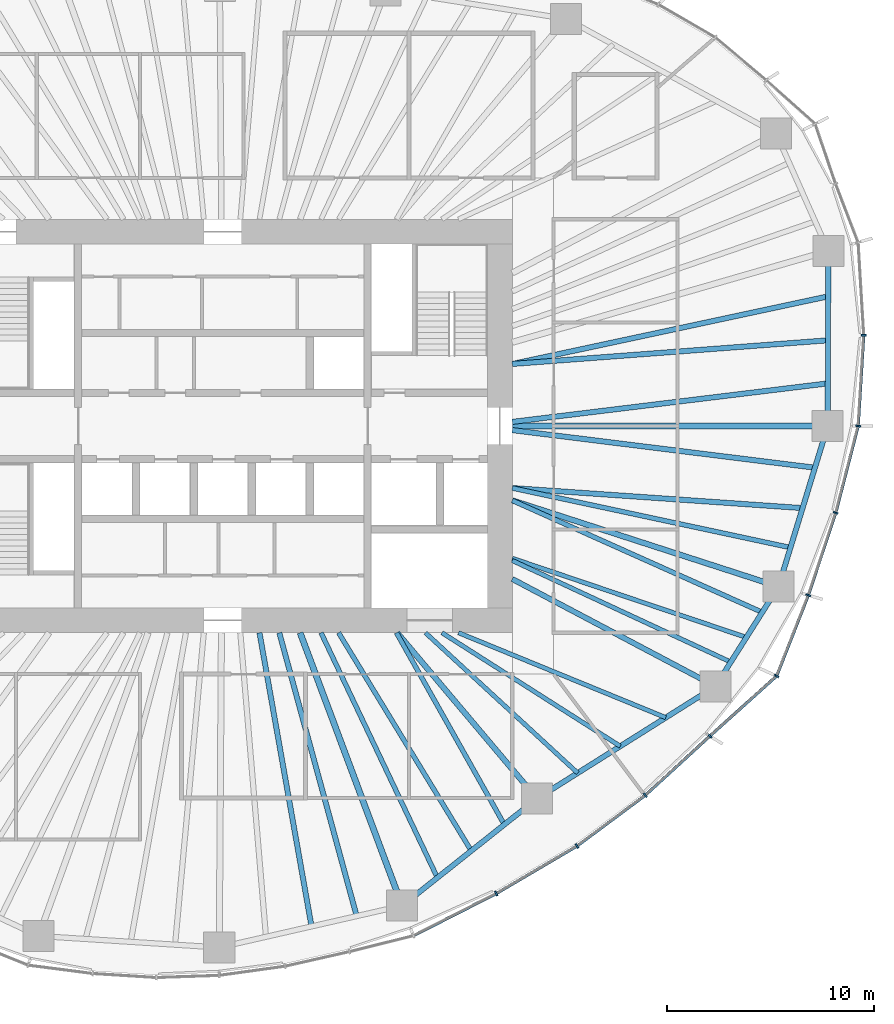
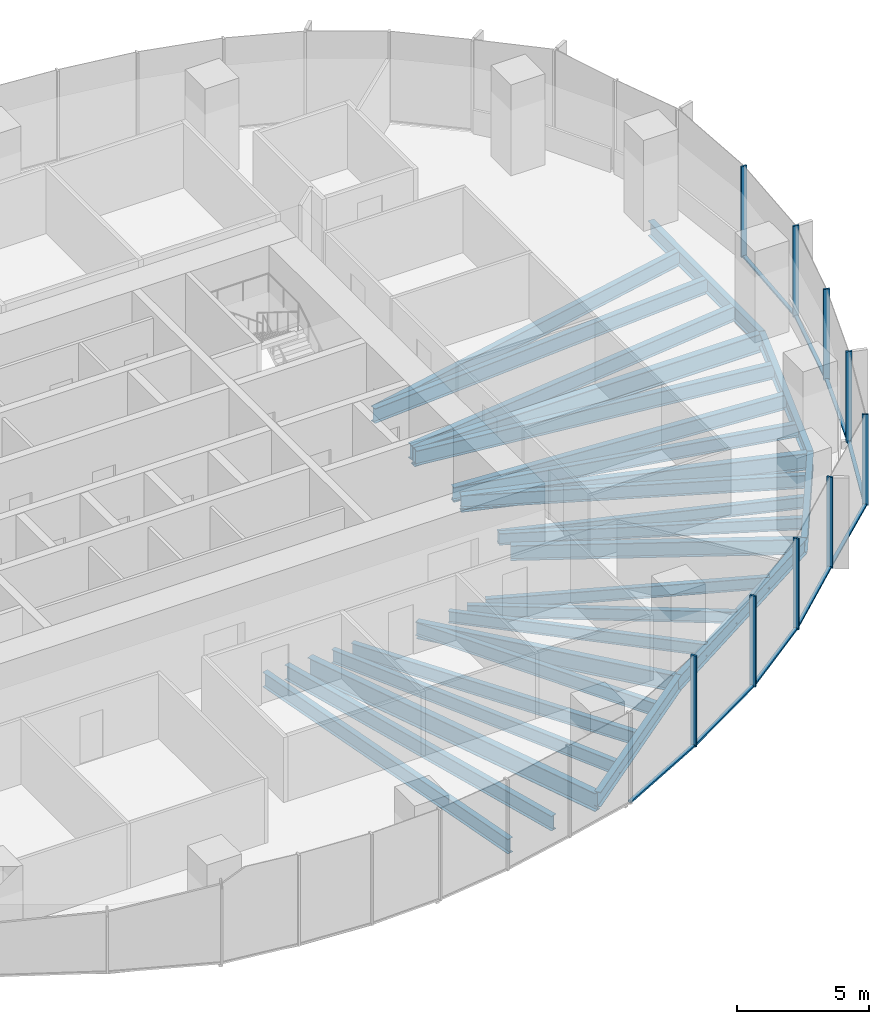
# One storey, part 4 of 18: 27 beams, 18 members, 5 elements without a shape of their own.
"""IFC4 building model written with IfcOpenShell, lengths in metres."""

from ifc_helpers import new_model, si_unit, direction, frame, origin, origin_2d, place, context, subcontext, project, spatial, rectangle, i_section, extrude, material, material_profile, profile_set, type_object, element, aggregate, save


model = new_model("IFC4")

# Units and contexts
model_context = context("Model", 3, precision=1e-05, world=origin(), true_north=direction((0.0, 1.0)))
body_context = subcontext(model_context, "Body", "Model", "MODEL_VIEW")
ifc_project = project(units=[si_unit("LENGTHUNIT", "METRE"), si_unit("AREAUNIT", "SQUARE_METRE"), si_unit("VOLUMEUNIT", "CUBIC_METRE"), si_unit("PLANEANGLEUNIT", "RADIAN"), si_unit("MASSUNIT", "GRAM", prefix="KILO")], contexts=[model_context])

# Site, building, storey
site_placement = place(None, origin())
site = spatial("IfcSite", under=ifc_project, at=site_placement, CompositionType="ELEMENT")
building_placement = place(site_placement, origin())
building = spatial("IfcBuilding", under=site, at=building_placement, Name="Ghaith Harvest Tower", CompositionType="ELEMENT")
storey_placement = place(building_placement, frame((0.0, 0.0, 126.0)))
storey = spatial("IfcBuildingStorey", under=building, at=storey_placement, Name="L26", CompositionType="ELEMENT", Elevation=126.0)

# Curtain wall, members
ifc_material_1 = material(Name="Black anodised aluminium and fritted glass", Category="aluminium")
curtain_wall_type = type_object("IfcCurtainWallType", Name="CW-L CURTAIN WALL", PredefinedType="NOTDEFINED", material=ifc_material_1)
curtain_wall_1_placement = place(storey_placement, origin())
curtain_wall_1 = element("IfcCurtainWall", 1, at=curtain_wall_1_placement, inside=storey, type_object=curtain_wall_type, Name="Curtain wall CW-L bay 01 L26", PredefinedType="NOTDEFINED")
ifc_material_2 = material(Name="Aluminium, black anodised", Category="aluminium")
ifc_material_profile_1 = material_profile(ifc_material_2, rectangle(XDim=0.080078125, YDim=0.239990234375, at=origin_2d()), Name="CW-L MULLION 80x240")
ifc_profile_set_1 = profile_set([ifc_material_profile_1], Name="Aluminium, black anodised")
member_type_1 = type_object("IfcMemberType", Name="CW-L MULLION 80x240", PredefinedType="MULLION", material=ifc_profile_set_1)
member_1_placement = place(storey_placement, frame((30.728759765625, 0.0, 0.0), z_axis=(0.0, 0.0, 1.0), x_axis=(0.155597142981, 0.987820595602, 0.0)))
member_1 = element("IfcMember", 2, at=member_1_placement, type_object=member_type_1, Name="CW-L mullion 1 bay 01 L26", PredefinedType="MULLION", context=body_context, shape_type="SweptSolid", body=[
    extrude(rectangle(XDim=0.080078125, YDim=0.239990234375, at=origin_2d()), origin(), (0.0, 0.0, 1.0), 4.199951171875),
])
member_2_placement = place(storey_placement, frame((30.998779296875, 4.389892578125, 0.0), z_axis=(0.0, 0.0, 1.0), x_axis=(-0.000162467394, 0.999999986802, 0.0)))
member_2 = element("IfcMember", 3, at=member_2_placement, type_object=member_type_1, Name="CW-L mullion 2 bay 01 L26", PredefinedType="MULLION", context=body_context, shape_type="SweptSolid", body=[
    extrude(rectangle(XDim=0.080078125, YDim=0.239990234375, at=origin_2d()), origin(), (0.0, 0.0, 1.0), 4.199951171875),
])

# Curtain wall, member
curtain_wall_2_placement = place(storey_placement, origin())
curtain_wall_2 = element("IfcCurtainWall", 4, at=curtain_wall_2_placement, inside=storey, type_object=curtain_wall_type, Name="Curtain wall CW-L bay 17 L26", PredefinedType="NOTDEFINED")
member_3_placement = place(storey_placement, frame((13.224365234375, -22.614013671875, 0.0), z_axis=(0.0, 0.0, 1.0), x_axis=(0.876898762173, 0.480675109507, 0.0)))
member_3 = element("IfcMember", 5, at=member_3_placement, type_object=member_type_1, Name="CW-L mullion 2 bay 17 L26", PredefinedType="MULLION", context=body_context, shape_type="SweptSolid", body=[
    extrude(rectangle(XDim=0.080078125, YDim=0.239990234375, at=origin_2d()), origin(), (0.0, 0.0, 1.0), 4.199951171875),
])

# Curtain wall, members
curtain_wall_3_placement = place(storey_placement, origin())
curtain_wall_3 = element("IfcCurtainWall", 6, at=curtain_wall_3_placement, inside=storey, type_object=curtain_wall_type, Name="Curtain wall CW-L bay 18 L26", PredefinedType="NOTDEFINED")
member_4_placement = place(storey_placement, frame((17.1318359375, -20.31591796875, 0.0), z_axis=(0.0, 0.0, 1.0), x_axis=(0.834887453241, 0.550420694035, 0.0)))
member_4 = element("IfcMember", 7, at=member_4_placement, type_object=member_type_1, Name="CW-L mullion 1 bay 18 L26", PredefinedType="MULLION", context=body_context, shape_type="SweptSolid", body=[
    extrude(rectangle(XDim=0.080078125, YDim=0.239990234375, at=origin_2d()), origin(), (0.0, 0.0, 1.0), 4.199951171875),
])
member_5_placement = place(storey_placement, frame((20.4296875, -17.86376953125, 0.0), z_axis=(0.0, 0.0, 1.0), x_axis=(0.770306399656, 0.637673937564, 0.0)))
member_5 = element("IfcMember", 8, at=member_5_placement, type_object=member_type_1, Name="CW-L mullion 2 bay 18 L26", PredefinedType="MULLION", context=body_context, shape_type="SweptSolid", body=[
    extrude(rectangle(XDim=0.080078125, YDim=0.239990234375, at=origin_2d()), origin(), (0.0, 0.0, 1.0), 4.199951171875),
])

curtain_wall_4_placement = place(storey_placement, origin())
curtain_wall_4 = element("IfcCurtainWall", 9, at=curtain_wall_4_placement, inside=storey, type_object=curtain_wall_type, Name="Curtain wall CW-L bay 19 L26", PredefinedType="NOTDEFINED")
member_6_placement = place(storey_placement, frame((23.560546875, -14.994140625, 0.0), z_axis=(0.0, 0.0, 1.0), x_axis=(0.740389054945, 0.672178582906, 0.0)))
member_6 = element("IfcMember", 10, at=member_6_placement, type_object=member_type_1, Name="CW-L mullion 1 bay 19 L26", PredefinedType="MULLION", context=body_context, shape_type="SweptSolid", body=[
    extrude(rectangle(XDim=0.080078125, YDim=0.239990234375, at=origin_2d()), origin(), (0.0, 0.0, 1.0), 4.199951171875),
])
member_7_placement = place(storey_placement, frame((26.786376953125, -12.0927734375, 0.0), z_axis=(0.0, 0.0, 1.0), x_axis=(0.572853476908, 0.819657790785, 0.0)))
member_7 = element("IfcMember", 11, at=member_7_placement, type_object=member_type_1, Name="CW-L mullion 2 bay 19 L26", PredefinedType="MULLION", context=body_context, shape_type="SweptSolid", body=[
    extrude(rectangle(XDim=0.080078125, YDim=0.239990234375, at=origin_2d()), origin(), (0.0, 0.0, 1.0), 4.199951171875),
])

curtain_wall_5_placement = place(storey_placement, origin())
curtain_wall_5 = element("IfcCurtainWall", 12, at=curtain_wall_5_placement, inside=storey, type_object=curtain_wall_type, Name="Curtain wall CW-L bay 20 L26", PredefinedType="NOTDEFINED")
member_8_placement = place(storey_placement, frame((28.319580078125, -8.184814453125, 0.0), z_axis=(0.0, 0.0, 1.0), x_axis=(0.34057402484, 0.94021770543, 0.0)))
member_8 = element("IfcMember", 13, at=member_8_placement, type_object=member_type_1, Name="CW-L mullion 1 bay 20 L26", PredefinedType="MULLION", context=body_context, shape_type="SweptSolid", body=[
    extrude(rectangle(XDim=0.080078125, YDim=0.239990234375, at=origin_2d()), origin(), (0.0, 0.0, 1.0), 4.199951171875),
])
member_9_placement = place(storey_placement, frame((29.64599609375, -4.1982421875, 0.0), z_axis=(0.0, 0.0, 1.0), x_axis=(0.282375140161, 0.959304060358, 0.0)))
member_9 = element("IfcMember", 14, at=member_9_placement, type_object=member_type_1, Name="CW-L mullion 2 bay 20 L26", PredefinedType="MULLION", context=body_context, shape_type="SweptSolid", body=[
    extrude(rectangle(XDim=0.080078125, YDim=0.239990234375, at=origin_2d()), origin(), (0.0, 0.0, 1.0), 4.199951171875),
])

# Member
ifc_material_3 = material(Name="Aluminium, black anodised", Category="aluminium")
ifc_material_profile_2 = material_profile(ifc_material_3, rectangle(XDim=0.14990234375, YDim=0.080078125, at=origin_2d()), Name="CW-L TRANSOM 150x80")
ifc_profile_set_2 = profile_set([ifc_material_profile_2], Name="Aluminium, black anodised")
member_type_2 = type_object("IfcMemberType", Name="CW-L TRANSOM 150x80", PredefinedType="USERDEFINED", material=ifc_profile_set_2)
member_10_placement = place(storey_placement, frame((30.731201171875, 0.0400390625, 0.0400390625), z_axis=(0.061403204251, 0.99811304295, 0.0), x_axis=(-0.99811304295, 0.061403204251, 0.0)))
member_10 = element("IfcMember", 15, at=member_10_placement, type_object=member_type_2, Name="CW-L transom 1 bay 01 L26", ObjectType="TRANSOM", PredefinedType="USERDEFINED", context=body_context, shape_type="SweptSolid", body=[
    extrude(rectangle(XDim=0.14990234375, YDim=0.080078125, at=origin_2d()), origin(), (0.0, 0.0, 1.0), 4.31787109375),
])

aggregate(curtain_wall_1, [member_1, member_10, member_2])

member_11_placement = place(storey_placement, frame((9.25244140625, -24.636474609375, 0.0400390625), z_axis=(0.891120044719, 0.453767634258, 0.0), x_axis=(-0.453767634258, 0.891120044719, 0.0)))
member_11 = element("IfcMember", 16, at=member_11_placement, type_object=member_type_2, Name="CW-L transom 1 bay 17 L26", ObjectType="TRANSOM", PredefinedType="USERDEFINED", context=body_context, shape_type="SweptSolid", body=[
    extrude(rectangle(XDim=0.14990234375, YDim=0.080078125, at=origin_2d()), origin(), (0.0, 0.0, 1.0), 4.417236328125),
])

member_12_placement = place(storey_placement, frame((13.259033203125, -22.59375, 0.0400390625), z_axis=(0.86196381091, 0.506969810424, 0.0), x_axis=(-0.506969810424, 0.86196381091, 0.0)))
member_12 = element("IfcMember", 17, at=member_12_placement, type_object=member_type_2, Name="CW-L transom 2 bay 17 L26", ObjectType="TRANSOM", PredefinedType="USERDEFINED", context=body_context, shape_type="SweptSolid", body=[
    extrude(rectangle(XDim=0.14990234375, YDim=0.080078125, at=origin_2d()), origin(), (0.0, 0.0, 1.0), 4.453125),
])

aggregate(curtain_wall_2, [member_11, member_3, member_12])

member_13_placement = place(storey_placement, frame((17.1640625, -20.2919921875, 0.0400390625), z_axis=(0.802465316609, 0.59669876457, 0.0), x_axis=(-0.59669876457, 0.802465316609, 0.0)))
member_13 = element("IfcMember", 18, at=member_13_placement, type_object=member_type_2, Name="CW-L transom 1 bay 18 L26", ObjectType="TRANSOM", PredefinedType="USERDEFINED", context=body_context, shape_type="SweptSolid", body=[
    extrude(rectangle(XDim=0.14990234375, YDim=0.080078125, at=origin_2d()), origin(), (0.0, 0.0, 1.0), 4.029296875),
])

member_14_placement = place(storey_placement, frame((20.459228515625, -17.836669921875, 0.0400390625), z_axis=(0.737197916434, 0.675676869521, 0.0), x_axis=(-0.675676869521, 0.737197916434, 0.0)))
member_14 = element("IfcMember", 19, at=member_14_placement, type_object=member_type_2, Name="CW-L transom 2 bay 18 L26", ObjectType="TRANSOM", PredefinedType="USERDEFINED", context=body_context, shape_type="SweptSolid", body=[
    extrude(rectangle(XDim=0.14990234375, YDim=0.080078125, at=origin_2d()), origin(), (0.0, 0.0, 1.0), 4.166748046875),
])

aggregate(curtain_wall_3, [member_4, member_13, member_5, member_14])

member_15_placement = place(storey_placement, frame((23.59033203125, -14.967529296875, 0.0400390625), z_axis=(0.74346800111, 0.668771509056, 0.0), x_axis=(-0.668771509056, 0.74346800111, 0.0)))
member_15 = element("IfcMember", 20, at=member_15_placement, type_object=member_type_2, Name="CW-L transom 1 bay 19 L26", ObjectType="TRANSOM", PredefinedType="USERDEFINED", context=body_context, shape_type="SweptSolid", body=[
    extrude(rectangle(XDim=0.14990234375, YDim=0.080078125, at=origin_2d()), origin(), (0.0, 0.0, 1.0), 4.2587890625),
])

member_16_placement = place(storey_placement, frame((26.801025390625, -12.055419921875, 0.0400390625), z_axis=(0.365228588652, 0.930917868575, 0.0), x_axis=(-0.930917868575, 0.365228588652, 0.0)))
member_16 = element("IfcMember", 21, at=member_16_placement, type_object=member_type_2, Name="CW-L transom 2 bay 19 L26", ObjectType="TRANSOM", PredefinedType="USERDEFINED", context=body_context, shape_type="SweptSolid", body=[
    extrude(rectangle(XDim=0.14990234375, YDim=0.080078125, at=origin_2d()), origin(), (0.0, 0.0, 1.0), 4.11767578125),
])

aggregate(curtain_wall_4, [member_6, member_15, member_7, member_16])

member_17_placement = place(storey_placement, frame((28.33203125, -8.14697265625, 0.0400390625), z_axis=(0.315712391444, 0.948854934059, 0.0), x_axis=(-0.948854934059, 0.315712391444, 0.0)))
member_17 = element("IfcMember", 22, at=member_17_placement, type_object=member_type_2, Name="CW-L transom 1 bay 20 L26", ObjectType="TRANSOM", PredefinedType="USERDEFINED", context=body_context, shape_type="SweptSolid", body=[
    extrude(rectangle(XDim=0.14990234375, YDim=0.080078125, at=origin_2d()), origin(), (0.0, 0.0, 1.0), 4.12158203125),
])

member_18_placement = place(storey_placement, frame((29.656005859375, -4.159423828125, 0.0400390625), z_axis=(0.249737470584, 0.968313583395, 0.0), x_axis=(-0.968313583395, 0.249737470584, 0.0)))
member_18 = element("IfcMember", 23, at=member_18_placement, type_object=member_type_2, Name="CW-L transom 2 bay 20 L26", ObjectType="TRANSOM", PredefinedType="USERDEFINED", context=body_context, shape_type="SweptSolid", body=[
    extrude(rectangle(XDim=0.14990234375, YDim=0.080078125, at=origin_2d()), origin(), (0.0, 0.0, 1.0), 4.25537109375),
])

aggregate(curtain_wall_5, [member_8, member_17, member_9, member_18])

# Beams
ifc_material_4 = material(Name="Steel ASTM A992 Grade 50", Category="steel")
ifc_material_profile_3 = material_profile(ifc_material_4, i_section(OverallWidth=0.25390625, OverallDepth=0.68408203125, WebThickness=0.012451171875, FlangeThickness=0.018798828125, at=origin_2d()), Name="W690X140")
ifc_profile_set_3 = profile_set([ifc_material_profile_3], Name="Steel ASTM A992 Grade 50")
beam_type_1 = type_object("IfcBeamType", Name="E690-140 W690X140", PredefinedType="SPANDREL", material=ifc_profile_set_3)
beam_1_placement = place(storey_placement, frame((29.259033203125, 0.0, -0.511962890625), z_axis=(0.003172847394, 0.999994966507, 0.0), x_axis=(-0.999994966507, 0.003172847394, 0.0)))
element("IfcBeam", 24, at=beam_1_placement, inside=storey, type_object=beam_type_1, Name="Edge beam E01 L26", PredefinedType="SPANDREL", context=body_context, shape_type="SweptSolid", body=[
    extrude(i_section(OverallWidth=0.25390625, OverallDepth=0.68408203125, WebThickness=0.012451171875, FlangeThickness=0.018798828125, at=origin_2d()), origin(), (0.0, 0.0, 1.0), 8.464111328125),
])
beam_2_placement = place(storey_placement, frame((8.674072265625, -23.202880859375, -0.511962890625), z_axis=(0.783159540917, 0.621820821033, 0.0), x_axis=(-0.621820821033, 0.783159540917, 0.0)))
element("IfcBeam", 25, at=beam_2_placement, inside=storey, type_object=beam_type_1, Name="Edge beam E17 L26", PredefinedType="SPANDREL", context=body_context, shape_type="SweptSolid", body=[
    extrude(i_section(OverallWidth=0.25390625, OverallDepth=0.68408203125, WebThickness=0.012451171875, FlangeThickness=0.018798828125, at=origin_2d()), origin(), (0.0, 0.0, 1.0), 8.330322265625),
])
beam_3_placement = place(storey_placement, frame((15.197998046875, -18.02294921875, -0.511962890625), z_axis=(0.846385185363, 0.532571232793, 0.0), x_axis=(-0.532571232793, 0.846385185363, 0.0)))
element("IfcBeam", 26, at=beam_3_placement, inside=storey, type_object=beam_type_1, Name="Edge beam E18 L26", PredefinedType="SPANDREL", context=body_context, shape_type="SweptSolid", body=[
    extrude(i_section(OverallWidth=0.25390625, OverallDepth=0.68408203125, WebThickness=0.012451171875, FlangeThickness=0.018798828125, at=origin_2d()), origin(), (0.0, 0.0, 1.0), 10.19384765625),
])
beam_4_placement = place(storey_placement, frame((23.825927734375, -12.593994140625, -0.511962890625), z_axis=(0.534499624093, 0.845168712059, 0.0), x_axis=(-0.845168712059, 0.534499624093, 0.0)))
element("IfcBeam", 27, at=beam_4_placement, inside=storey, type_object=beam_type_1, Name="Edge beam E19 L26", PredefinedType="SPANDREL", context=body_context, shape_type="SweptSolid", body=[
    extrude(i_section(OverallWidth=0.25390625, OverallDepth=0.68408203125, WebThickness=0.012451171875, FlangeThickness=0.018798828125, at=origin_2d()), origin(), (0.0, 0.0, 1.0), 5.7099609375),
])
beam_5_placement = place(storey_placement, frame((26.8779296875, -7.76806640625, -0.511962890625), z_axis=(0.293065809375, 0.956092271371, 0.0), x_axis=(-0.956092271371, 0.293065809375, 0.0)))
element("IfcBeam", 28, at=beam_5_placement, inside=storey, type_object=beam_type_1, Name="Edge beam E20 L26", PredefinedType="SPANDREL", context=body_context, shape_type="SweptSolid", body=[
    extrude(i_section(OverallWidth=0.25390625, OverallDepth=0.68408203125, WebThickness=0.012451171875, FlangeThickness=0.018798828125, at=origin_2d()), origin(), (0.0, 0.0, 1.0), 8.124755859375),
])
ifc_material_5 = material(Name="Steel ASTM A992 Grade 50", Category="steel")
ifc_material_profile_4 = material_profile(ifc_material_5, i_section(OverallWidth=0.256103515625, OverallDepth=0.693115234375, WebThickness=0.014404296875, FlangeThickness=0.023681640625, at=origin_2d()), Name="W690X170")
ifc_profile_set_4 = profile_set([ifc_material_profile_4], Name="Steel ASTM A992 Grade 50")
beam_type_2 = type_object("IfcBeamType", Name="G690-170 W690X170", PredefinedType="BEAM", material=ifc_profile_set_4)
beam_6_placement = place(storey_placement, frame((14.0, -7.39990234375, -0.5166015625), z_axis=(0.884080549082, -0.467334551189, 0.0), x_axis=(0.467334551189, 0.884080549082, 0.0)))
element("IfcBeam", 29, at=beam_6_placement, inside=storey, type_object=beam_type_2, Name="Radial girder G19 L26", PredefinedType="BEAM", context=body_context, shape_type="SweptSolid", body=[
    extrude(i_section(OverallWidth=0.256103515625, OverallDepth=0.693115234375, WebThickness=0.014404296875, FlangeThickness=0.023681640625, at=origin_2d()), origin(), (0.0, 0.0, 1.0), 11.1142578125),
])
ifc_material_6 = material(Name="Steel ASTM A992 Grade 50", Category="steel")
ifc_material_profile_5 = material_profile(ifc_material_6, i_section(OverallWidth=0.26806640625, OverallDepth=0.77001953125, WebThickness=0.015625, FlangeThickness=0.025390625, at=origin_2d()), Name="W760X196")
ifc_profile_set_5 = profile_set([ifc_material_profile_5], Name="Steel ASTM A992 Grade 50")
beam_type_3 = type_object("IfcBeamType", Name="G760-196 W760X196", PredefinedType="BEAM", material=ifc_profile_set_5)
beam_7_placement = place(storey_placement, frame((8.4326171875, -10.0, -0.554931640625), z_axis=(0.644649240595, -0.764478486682, 0.0), x_axis=(0.764478486682, 0.644649240595, 0.0)))
element("IfcBeam", 30, at=beam_7_placement, inside=storey, type_object=beam_type_3, Name="Radial girder G18 L26", PredefinedType="BEAM", context=body_context, shape_type="SweptSolid", body=[
    extrude(i_section(OverallWidth=0.26806640625, OverallDepth=0.77001953125, WebThickness=0.015625, FlangeThickness=0.025390625, at=origin_2d()), origin(), (0.0, 0.0, 1.0), 10.49462890625),
])
beam_8_placement = place(storey_placement, frame((14.0, -3.60009765625, -0.554931640625), z_axis=(0.951410331565, -0.307925934262, 0.0), x_axis=(0.307925934262, 0.951410331565, 0.0)))
element("IfcBeam", 31, at=beam_8_placement, inside=storey, type_object=beam_type_3, Name="Radial girder G20 L26", PredefinedType="BEAM", context=body_context, shape_type="SweptSolid", body=[
    extrude(i_section(OverallWidth=0.26806640625, OverallDepth=0.77001953125, WebThickness=0.015625, FlangeThickness=0.025390625, at=origin_2d()), origin(), (0.0, 0.0, 1.0), 13.53564453125),
])
ifc_material_7 = material(Name="Steel ASTM A992 Grade 50", Category="steel")
ifc_material_profile_6 = material_profile(ifc_material_7, i_section(OverallWidth=0.2939453125, OverallDepth=0.85107421875, WebThickness=0.01611328125, FlangeThickness=0.02685546875, at=origin_2d()), Name="W840X226")
ifc_profile_set_6 = profile_set([ifc_material_profile_6], Name="Steel ASTM A992 Grade 50")
beam_type_4 = type_object("IfcBeamType", Name="G840-226 W840X226", PredefinedType="BEAM", material=ifc_profile_set_6)
beam_9_placement = place(storey_placement, frame((14.0, 0.0, -0.595458984375), z_axis=(1.0, 0.0, 0.0), x_axis=(0.0, 1.0, 0.0)))
element("IfcBeam", 32, at=beam_9_placement, inside=storey, type_object=beam_type_4, Name="Radial girder G01 L26", PredefinedType="BEAM", context=body_context, shape_type="SweptSolid", body=[
    extrude(i_section(OverallWidth=0.2939453125, OverallDepth=0.85107421875, WebThickness=0.01611328125, FlangeThickness=0.02685546875, at=origin_2d()), origin(), (0.0, 0.0, 1.0), 15.259033203125),
])
beam_10_placement = place(storey_placement, frame((3.73828125, -10.0, -0.595458984375), z_axis=(0.350172283717, -0.936685310932, 0.0), x_axis=(0.936685310932, 0.350172283717, 0.0)))
element("IfcBeam", 33, at=beam_10_placement, inside=storey, type_object=beam_type_4, Name="Radial girder G17 L26", PredefinedType="BEAM", context=body_context, shape_type="SweptSolid", body=[
    extrude(i_section(OverallWidth=0.2939453125, OverallDepth=0.85107421875, WebThickness=0.01611328125, FlangeThickness=0.02685546875, at=origin_2d()), origin(), (0.0, 0.0, 1.0), 14.09521484375),
])
ifc_material_8 = material(Name="Steel ASTM A992 Grade 50", Category="steel")
ifc_material_profile_7 = material_profile(ifc_material_8, i_section(OverallWidth=0.2109375, OverallDepth=0.5390625, WebThickness=0.01171875, FlangeThickness=0.018798828125, at=origin_2d()), Name="W530X109")
ifc_profile_set_7 = profile_set([ifc_material_profile_7], Name="Steel ASTM A992 Grade 50")
beam_type_5 = type_object("IfcBeamType", Name="J530-109 W530X109", PredefinedType="JOIST", material=ifc_profile_set_7)
beam_11_placement = place(storey_placement, frame((9.800048828125, -10.0, -0.439453125), z_axis=(0.735441512033, -0.677588210035, 0.0), x_axis=(0.677588210035, 0.735441512033, 0.0)))
element("IfcBeam", 34, at=beam_11_placement, inside=storey, type_object=beam_type_5, Name="Joist J18.1 L26", PredefinedType="JOIST", context=body_context, shape_type="SweptSolid", body=[
    extrude(i_section(OverallWidth=0.2109375, OverallDepth=0.5390625, WebThickness=0.01171875, FlangeThickness=0.018798828125, at=origin_2d()), origin(), (0.0, 0.0, 1.0), 10.01416015625),
])
beam_12_placement = place(storey_placement, frame((10.60009765625, -10.0, -0.439453125), z_axis=(0.843584777848, -0.536996017288, 0.0), x_axis=(0.536996017288, 0.843584777848, 0.0)))
element("IfcBeam", 35, at=beam_12_placement, inside=storey, type_object=beam_type_5, Name="Joist J18.2 L26", PredefinedType="JOIST", context=body_context, shape_type="SweptSolid", body=[
    extrude(i_section(OverallWidth=0.2109375, OverallDepth=0.5390625, WebThickness=0.01171875, FlangeThickness=0.018798828125, at=origin_2d()), origin(), (0.0, 0.0, 1.0), 10.22314453125),
])
beam_13_placement = place(storey_placement, frame((11.39990234375, -10.0, -0.439453125), z_axis=(0.925406878607, -0.378975077053, 0.0), x_axis=(0.378975077053, 0.925406878607, 0.0)))
element("IfcBeam", 36, at=beam_13_placement, inside=storey, type_object=beam_type_5, Name="Joist J18.3 L26", PredefinedType="JOIST", context=body_context, shape_type="SweptSolid", body=[
    extrude(i_section(OverallWidth=0.2109375, OverallDepth=0.5390625, WebThickness=0.01171875, FlangeThickness=0.018798828125, at=origin_2d()), origin(), (0.0, 0.0, 1.0), 10.83251953125),
])
beam_14_placement = place(storey_placement, frame((14.0, -6.506103515625, -0.439453125), z_axis=(0.906863188232, -0.421425150922, 0.0), x_axis=(0.421425150922, 0.906863188232, 0.0)))
element("IfcBeam", 37, at=beam_14_placement, inside=storey, type_object=beam_type_5, Name="Joist J19.1 L26", PredefinedType="JOIST", context=body_context, shape_type="SweptSolid", body=[
    extrude(i_section(OverallWidth=0.2109375, OverallDepth=0.5390625, WebThickness=0.01171875, FlangeThickness=0.018798828125, at=origin_2d()), origin(), (0.0, 0.0, 1.0), 11.6552734375),
])
beam_15_placement = place(storey_placement, frame((14.0, -6.39990234375, -0.439453125), z_axis=(0.947372072272, -0.320134591508, 0.0), x_axis=(0.320134591508, 0.947372072272, 0.0)))
element("IfcBeam", 38, at=beam_15_placement, inside=storey, type_object=beam_type_5, Name="Joist J19.2 L26", PredefinedType="JOIST", context=body_context, shape_type="SweptSolid", body=[
    extrude(i_section(OverallWidth=0.2109375, OverallDepth=0.5390625, WebThickness=0.01171875, FlangeThickness=0.018798828125, at=origin_2d()), origin(), (0.0, 0.0, 1.0), 11.95263671875),
])
ifc_material_9 = material(Name="Steel ASTM A992 Grade 50", Category="steel")
ifc_material_profile_8 = material_profile(ifc_material_9, i_section(OverallWidth=0.22900390625, OverallDepth=0.612060546875, WebThickness=0.011962890625, FlangeThickness=0.01953125, at=origin_2d()), Name="W610X125")
ifc_profile_set_8 = profile_set([ifc_material_profile_8], Name="Steel ASTM A992 Grade 50")
beam_type_6 = type_object("IfcBeamType", Name="J610-125 W610X125", PredefinedType="JOIST", material=ifc_profile_set_8)
beam_16_placement = place(storey_placement, frame((4.75, -10.0, -0.47607421875), z_axis=(0.429062888327, -0.903274619294, 0.0), x_axis=(0.903274619294, 0.429062888327, 0.0)))
element("IfcBeam", 39, at=beam_16_placement, inside=storey, type_object=beam_type_6, Name="Joist J17.1 L26", PredefinedType="JOIST", context=body_context, shape_type="SweptSolid", body=[
    extrude(i_section(OverallWidth=0.22900390625, OverallDepth=0.612060546875, WebThickness=0.011962890625, FlangeThickness=0.01953125, at=origin_2d()), origin(), (0.0, 0.0, 1.0), 13.118408203125),
])
beam_17_placement = place(storey_placement, frame((5.60009765625, -10.0, -0.47607421875), z_axis=(0.51969412955, -0.854352393167, 0.0), x_axis=(0.854352393167, 0.51969412955, 0.0)))
element("IfcBeam", 40, at=beam_17_placement, inside=storey, type_object=beam_type_6, Name="Joist J17.2 L26", PredefinedType="JOIST", context=body_context, shape_type="SweptSolid", body=[
    extrude(i_section(OverallWidth=0.22900390625, OverallDepth=0.612060546875, WebThickness=0.011962890625, FlangeThickness=0.01953125, at=origin_2d()), origin(), (0.0, 0.0, 1.0), 12.34716796875),
])
beam_18_placement = place(storey_placement, frame((8.39990234375, -10.0, -0.47607421875), z_axis=(0.489936713337, -0.871758003648, 0.0), x_axis=(0.871758003648, 0.489936713337, 0.0)))
element("IfcBeam", 41, at=beam_18_placement, inside=storey, type_object=beam_type_6, Name="Joist J17.3 L26", PredefinedType="JOIST", context=body_context, shape_type="SweptSolid", body=[
    extrude(i_section(OverallWidth=0.22900390625, OverallDepth=0.612060546875, WebThickness=0.011962890625, FlangeThickness=0.01953125, at=origin_2d()), origin(), (0.0, 0.0, 1.0), 10.64501953125),
])
beam_19_placement = place(storey_placement, frame((14.0, -3.60009765625, -0.47607421875), z_axis=(0.912738327266, -0.408544668231, 0.0), x_axis=(0.408544668231, 0.912738327266, 0.0)))
element("IfcBeam", 42, at=beam_19_placement, inside=storey, type_object=beam_type_6, Name="Joist J19.3 L26", PredefinedType="JOIST", context=body_context, shape_type="SweptSolid", body=[
    extrude(i_section(OverallWidth=0.22900390625, OverallDepth=0.612060546875, WebThickness=0.011962890625, FlangeThickness=0.01953125, at=origin_2d()), origin(), (0.0, 0.0, 1.0), 13.247314453125),
])
beam_20_placement = place(storey_placement, frame((14.0, -3.0, -0.47607421875), z_axis=(0.97783433664, -0.209380061343, 0.0), x_axis=(0.209380061343, 0.97783433664, 0.0)))
element("IfcBeam", 43, at=beam_20_placement, inside=storey, type_object=beam_type_6, Name="Joist J20.1 L26", PredefinedType="JOIST", context=body_context, shape_type="SweptSolid", body=[
    extrude(i_section(OverallWidth=0.22900390625, OverallDepth=0.612060546875, WebThickness=0.011962890625, FlangeThickness=0.01953125, at=origin_2d()), origin(), (0.0, 0.0, 1.0), 13.76123046875),
])
ifc_material_10 = material(Name="Steel ASTM A992 Grade 50", Category="steel")
ifc_material_profile_9 = material_profile(ifc_material_10, i_section(OverallWidth=0.25390625, OverallDepth=0.68408203125, WebThickness=0.012451171875, FlangeThickness=0.018798828125, at=origin_2d()), Name="W690X140")
ifc_profile_set_9 = profile_set([ifc_material_profile_9], Name="Steel ASTM A992 Grade 50")
beam_type_7 = type_object("IfcBeamType", Name="J690-140 W690X140", PredefinedType="JOIST", material=ifc_profile_set_9)
beam_21_placement = place(storey_placement, frame((14.0, 0.199951171875, -0.511962890625), z_axis=(0.992642759881, 0.121079937462, 0.0), x_axis=(-0.121079937462, 0.992642759881, 0.0)))
element("IfcBeam", 44, at=beam_21_placement, inside=storey, type_object=beam_type_7, Name="Joist J01.1 L26", PredefinedType="JOIST", context=body_context, shape_type="SweptSolid", body=[
    extrude(i_section(OverallWidth=0.25390625, OverallDepth=0.68408203125, WebThickness=0.012451171875, FlangeThickness=0.018798828125, at=origin_2d()), origin(), (0.0, 0.0, 1.0), 15.378662109375),
])
beam_22_placement = place(storey_placement, frame((14.0, 3.0, -0.511962890625), z_axis=(0.997200052902, 0.074780040735, 0.0), x_axis=(-0.074780040735, 0.997200052902, 0.0)))
element("IfcBeam", 45, at=beam_22_placement, inside=storey, type_object=beam_type_7, Name="Joist J01.2 L26", PredefinedType="JOIST", context=body_context, shape_type="SweptSolid", body=[
    extrude(i_section(OverallWidth=0.25390625, OverallDepth=0.68408203125, WebThickness=0.012451171875, FlangeThickness=0.018798828125, at=origin_2d()), origin(), (0.0, 0.0, 1.0), 15.315185546875),
])
beam_23_placement = place(storey_placement, frame((14.0, 3.0, -0.511962890625), z_axis=(0.977833271545, 0.209385035425, 0.0), x_axis=(-0.209385035425, 0.977833271545, 0.0)))
element("IfcBeam", 46, at=beam_23_placement, inside=storey, type_object=beam_type_7, Name="Joist J01.3 L26", PredefinedType="JOIST", context=body_context, shape_type="SweptSolid", body=[
    extrude(i_section(OverallWidth=0.25390625, OverallDepth=0.68408203125, WebThickness=0.012451171875, FlangeThickness=0.018798828125, at=origin_2d()), origin(), (0.0, 0.0, 1.0), 15.62548828125),
])
beam_24_placement = place(storey_placement, frame((1.772705078125, -10.0, -0.511962890625), z_axis=(0.174552818486, -0.98464781194, 0.0), x_axis=(0.98464781194, 0.174552818486, 0.0)))
element("IfcBeam", 47, at=beam_24_placement, inside=storey, type_object=beam_type_7, Name="Joist J16.2 L26", PredefinedType="JOIST", context=body_context, shape_type="SweptSolid", body=[
    extrude(i_section(OverallWidth=0.25390625, OverallDepth=0.68408203125, WebThickness=0.012451171875, FlangeThickness=0.018798828125, at=origin_2d()), origin(), (0.0, 0.0, 1.0), 14.42578125),
])
beam_25_placement = place(storey_placement, frame((2.73095703125, -10.0, -0.511962890625), z_axis=(0.263463446032, -0.964669379946, 0.0), x_axis=(0.964669379946, 0.263463446032, 0.0)))
element("IfcBeam", 48, at=beam_25_placement, inside=storey, type_object=beam_type_7, Name="Joist J16.3 L26", PredefinedType="JOIST", context=body_context, shape_type="SweptSolid", body=[
    extrude(i_section(OverallWidth=0.25390625, OverallDepth=0.68408203125, WebThickness=0.012451171875, FlangeThickness=0.018798828125, at=origin_2d()), origin(), (0.0, 0.0, 1.0), 14.20751953125),
])
beam_26_placement = place(storey_placement, frame((14.0, -3.0, -0.511962890625), z_axis=(0.997616678907, -0.068999724397, 0.0), x_axis=(0.068999724397, 0.997616678907, 0.0)))
element("IfcBeam", 49, at=beam_26_placement, inside=storey, type_object=beam_type_7, Name="Joist J20.2 L26", PredefinedType="JOIST", context=body_context, shape_type="SweptSolid", body=[
    extrude(i_section(OverallWidth=0.25390625, OverallDepth=0.68408203125, WebThickness=0.012451171875, FlangeThickness=0.018798828125, at=origin_2d()), origin(), (0.0, 0.0, 1.0), 14.0751953125),
])
beam_27_placement = place(storey_placement, frame((14.0, -0.199951171875, -0.511962890625), z_axis=(0.992379127816, -0.123222021874, 0.0), x_axis=(0.123222021874, 0.992379127816, 0.0)))
element("IfcBeam", 50, at=beam_27_placement, inside=storey, type_object=beam_type_7, Name="Joist J20.3 L26", PredefinedType="JOIST", context=body_context, shape_type="SweptSolid", body=[
    extrude(i_section(OverallWidth=0.25390625, OverallDepth=0.68408203125, WebThickness=0.012451171875, FlangeThickness=0.018798828125, at=origin_2d()), origin(), (0.0, 0.0, 1.0), 14.7529296875),
])

save(model, "model.ifc")
